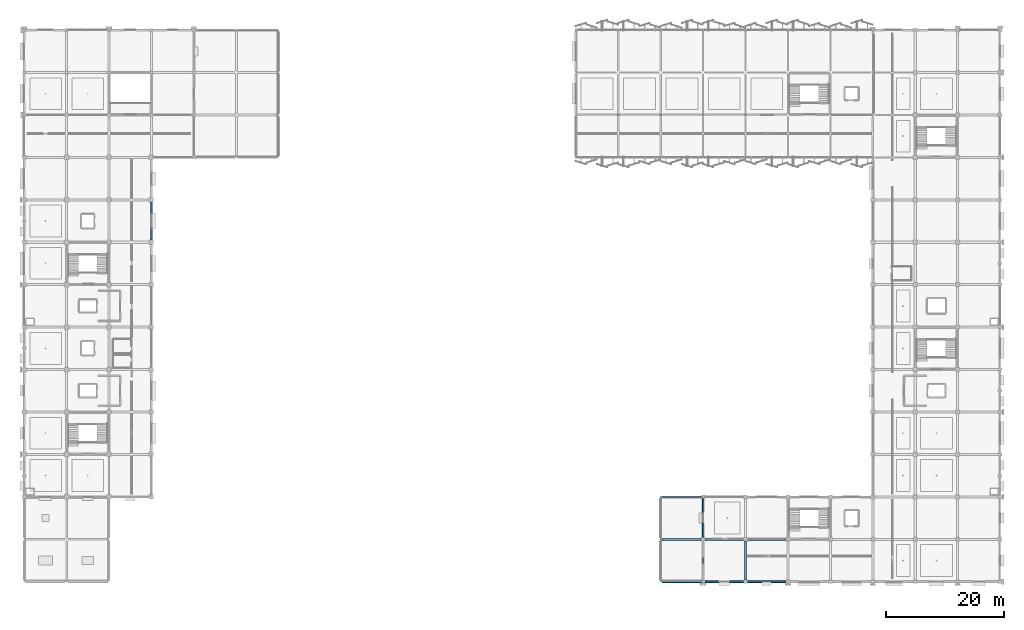
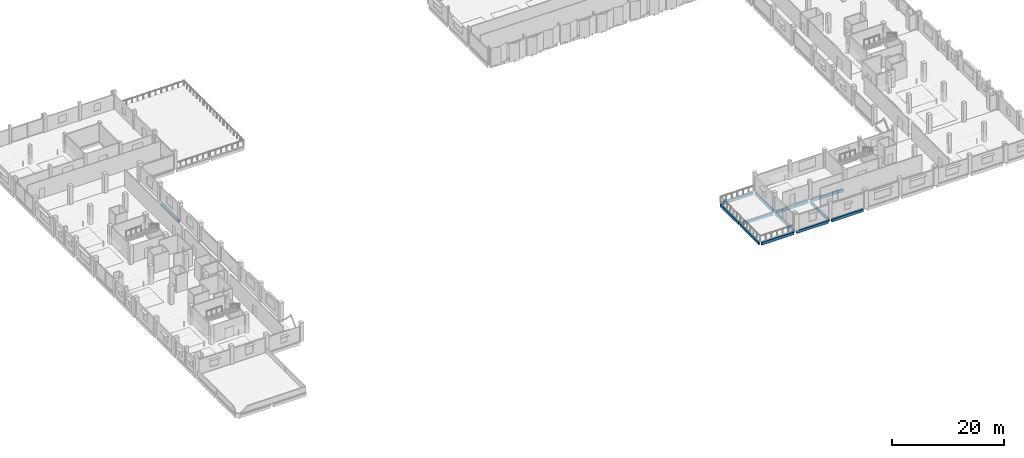
# One storey, part 14 of 91: 13 beams.
"""IFC4 building model written with IfcOpenShell, lengths in metres."""

from ifc_helpers import new_model, si_unit, direction, frame, origin, origin_2d, place, context, subcontext, project, spatial, rectangle, extrude, material, material_profile, profile_set, type_object, element, save


model = new_model("IFC4")

# Units and contexts
model_context = context("Model", 3, precision=1e-05, world=origin(), true_north=direction((0.0, 1.0)))
body_context = subcontext(model_context, "Body", "Model", "MODEL_VIEW")
ifc_project = project(units=[si_unit("LENGTHUNIT", "METRE"), si_unit("AREAUNIT", "SQUARE_METRE"), si_unit("VOLUMEUNIT", "CUBIC_METRE"), si_unit("PLANEANGLEUNIT", "RADIAN"), si_unit("MASSUNIT", "GRAM", prefix="KILO")], contexts=[model_context])

# Site, building, storey
site_placement = place(None, origin())
site = spatial("IfcSite", under=ifc_project, at=site_placement, CompositionType="ELEMENT")
building_placement = place(site_placement, origin())
building = spatial("IfcBuilding", under=site, at=building_placement, Name="Kangsadwip Square Police Headquarters", CompositionType="ELEMENT")
storey_placement = place(building_placement, frame((0.0, 0.0, 13.5)))
storey = spatial("IfcBuildingStorey", under=building, at=storey_placement, Name="L03", CompositionType="ELEMENT", Elevation=13.5)

# Beams
ifc_material_1 = material(Name="Concrete M35 (35 MPa)", Category="concrete")
ifc_material_profile_1 = material_profile(ifc_material_1, rectangle(XDim=0.35009765625, YDim=0.60009765625, at=origin_2d()), Name="RC BM 600X350")
ifc_profile_set_1 = profile_set([ifc_material_profile_1], Name="Concrete M35 (35 MPa)")
beam_type_1 = type_object("IfcBeamType", Name="RcBeam600x350", PredefinedType="BEAM", material=ifc_profile_set_1)
beam_1_placement = place(storey_placement, frame((108.25, 28.800048828125, -0.5400390625), z_axis=(1.0, 0.0, 0.0), x_axis=(0.0, 1.0, 0.0)))
element("IfcBeam", 1, at=beam_1_placement, inside=storey, type_object=beam_type_1, Name="Beam BM-L03-X-15-04", PredefinedType="BEAM", context=body_context, shape_type="SweptSolid", body=[
    extrude(rectangle(XDim=0.35009765625, YDim=0.60009765625, at=origin_2d()), origin(), (0.0, 0.0, 1.0), 6.625),
])
beam_2_placement = place(storey_placement, frame((115.52490234375, 28.800048828125, -0.5400390625), z_axis=(1.0, 0.0, 0.0), x_axis=(0.0, 1.0, 0.0)))
element("IfcBeam", 2, at=beam_2_placement, inside=storey, type_object=beam_type_1, Name="Beam BM-L03-X-16-04", PredefinedType="BEAM", context=body_context, shape_type="SweptSolid", body=[
    extrude(rectangle(XDim=0.35009765625, YDim=0.60009765625, at=origin_2d()), origin(), (0.0, 0.0, 1.0), 6.550048828125),
])
beam_3_placement = place(storey_placement, frame((122.72509765625, 28.800048828125, -0.5400390625), z_axis=(1.0, 0.0, 0.0), x_axis=(0.0, 1.0, 0.0)))
element("IfcBeam", 3, at=beam_3_placement, inside=storey, type_object=beam_type_1, Name="Beam BM-L03-X-17-04", PredefinedType="BEAM", context=body_context, shape_type="SweptSolid", body=[
    extrude(rectangle(XDim=0.35009765625, YDim=0.60009765625, at=origin_2d()), origin(), (0.0, 0.0, 1.0), 6.52490234375),
])
beam_4_placement = place(storey_placement, frame((122.39990234375, 21.925048828125, -0.5400390625), z_axis=(0.0, 1.0, 0.0), x_axis=(-1.0, 0.0, 0.0)))
element("IfcBeam", 4, at=beam_4_placement, inside=storey, type_object=beam_type_1, Name="Beam BM-L03-Y-17-03", PredefinedType="BEAM", context=body_context, shape_type="SweptSolid", body=[
    extrude(rectangle(XDim=0.35009765625, YDim=0.60009765625, at=origin_2d()), origin(), (0.0, 0.0, 1.0), 6.550048828125),
])
ifc_material_2 = material(Name="Concrete M40 (40 MPa)", Category="concrete")
ifc_material_profile_2 = material_profile(ifc_material_2, rectangle(XDim=0.280029296875, YDim=0.60009765625, at=origin_2d()), Name="RC SPN 600X280")
ifc_profile_set_2 = profile_set([ifc_material_profile_2], Name="Concrete M40 (40 MPa)")
beam_type_2 = type_object("IfcBeamType", Name="RcSpandrel600x280", PredefinedType="SPANDREL", material=ifc_profile_set_2)
for number, where, z_axis, x_axis, name in (
    (5, (108.27490234375, 21.60009765625, -0.5400390625), (1.0, 0.0, 0.0), (0.0, 1.0, 0.0), "Beam BM-L03-X-15-03"),
    (6, (108.27490234375, 36.0, -0.5400390625), (1.0, 0.0, 0.0), (0.0, 1.0, 0.0), "Beam BM-L03-X-15-05"),
):
    element("IfcBeam", number, at=place(storey_placement, frame(where, z_axis=z_axis, x_axis=x_axis)), inside=storey, type_object=beam_type_2, Name=name, PredefinedType="SPANDREL", context=body_context, shape_type="SweptSolid", body=[
        extrude(rectangle(XDim=0.280029296875, YDim=0.60009765625, at=origin_2d()), origin(), (0.0, 0.0, 1.0), 6.60009765625),
    ])
for number, where, z_axis, x_axis, name in (
    (7, (108.0, 21.875, -0.5400390625), (0.0, 1.0, 0.0), (-1.0, 0.0, 0.0), "Beam BM-L03-Y-15-03"),
    (8, (108.0, 29.050048828125, -0.5400390625), (0.0, 1.0, 0.0), (-1.0, 0.0, 0.0), "Beam BM-L03-Y-15-04"),
):
    element("IfcBeam", number, at=place(storey_placement, frame(where, z_axis=z_axis, x_axis=x_axis)), inside=storey, type_object=beam_type_2, Name=name, PredefinedType="SPANDREL", context=body_context, shape_type="SweptSolid", body=[
        extrude(rectangle(XDim=0.280029296875, YDim=0.60009765625, at=origin_2d()), origin(), (0.0, 0.0, 1.0), 6.675048828125),
    ])
for number, where, z_axis, x_axis, name in (
    (9, (115.199951171875, 21.925048828125, -0.5400390625), (0.0, 1.0, 0.0), (-1.0, 0.0, 0.0), "Beam BM-L03-Y-16-03"),
    (10, (115.199951171875, 29.125, -0.5400390625), (0.0, 1.0, 0.0), (-1.0, 0.0, 0.0), "Beam BM-L03-Y-16-04"),
    (11, (115.52490234375, 21.60009765625, -0.5400390625), (1.0, 0.0, 0.0), (0.0, 1.0, 0.0), "Beam BM-L03-X-16-03"),
):
    element("IfcBeam", number, at=place(storey_placement, frame(where, z_axis=z_axis, x_axis=x_axis)), inside=storey, type_object=beam_type_2, Name=name, PredefinedType="SPANDREL", context=body_context, shape_type="SweptSolid", body=[
        extrude(rectangle(XDim=0.280029296875, YDim=0.60009765625, at=origin_2d()), origin(), (0.0, 0.0, 1.0), 6.550048828125),
    ])
beam_5_placement = place(storey_placement, frame((122.72509765625, 21.60009765625, -0.5400390625), z_axis=(1.0, 0.0, 0.0), x_axis=(0.0, 1.0, 0.0)))
element("IfcBeam", 12, at=beam_5_placement, inside=storey, type_object=beam_type_2, Name="Beam BM-L03-X-17-03", PredefinedType="SPANDREL", context=body_context, shape_type="SweptSolid", body=[
    extrude(rectangle(XDim=0.280029296875, YDim=0.60009765625, at=origin_2d()), origin(), (0.0, 0.0, 1.0), 6.52490234375),
])
beam_6_placement = place(storey_placement, frame((21.60009765625, 79.60009765625, -0.5400390625), z_axis=(0.0, 1.0, 0.0), x_axis=(-1.0, 0.0, 0.0)))
element("IfcBeam", 13, at=beam_6_placement, inside=storey, type_object=beam_type_2, Name="Beam BM-L03-Y-03-11", PredefinedType="SPANDREL", context=body_context, shape_type="SweptSolid", body=[
    extrude(rectangle(XDim=0.280029296875, YDim=0.60009765625, at=origin_2d()), origin(), (0.0, 0.0, 1.0), 6.39990234375),
])

save(model, "model.ifc")
